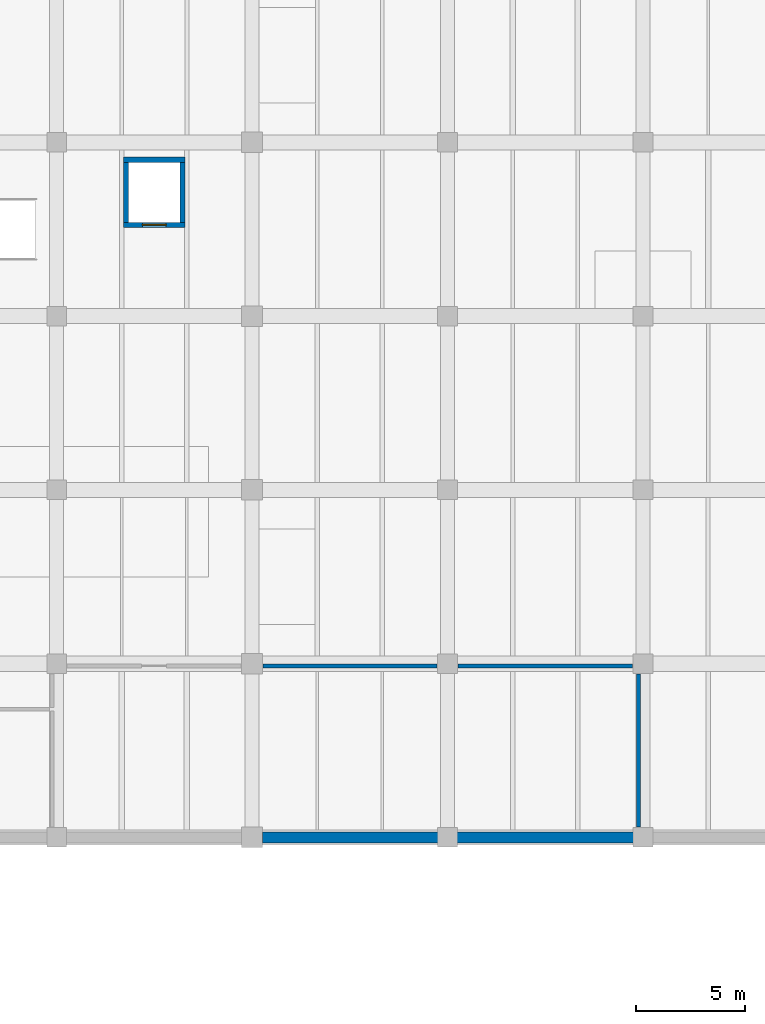
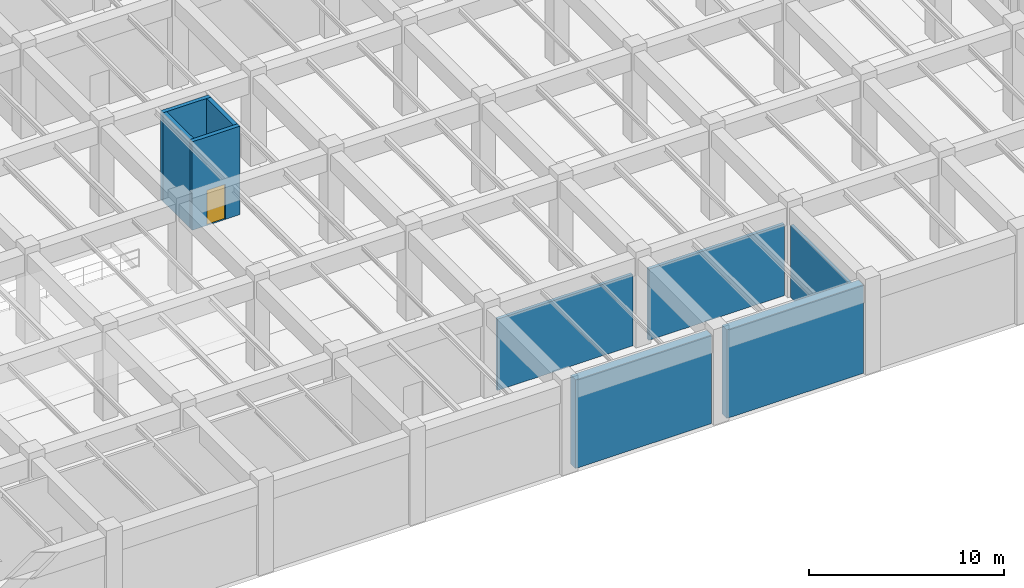
# One storey, part 9 of 20: 9 walls, 1 door, 1 opening.
"""IFC4 building model written with IfcOpenShell, lengths in metres."""

from ifc_helpers import new_model, si_unit, derived_unit, direction, frame, frame_2d, origin, place, context, subcontext, project, spatial, rectangle, extrude, material, layer, layer_set, type_object, element, fill, save


model = new_model("IFC4")

# Units and contexts
model_context = context("Model", 3, precision=1e-05, world=origin(), true_north=direction((0.0, 1.0)))
body_context = subcontext(model_context, "Body", "Model", "MODEL_VIEW")
ifc_project = project(units=[si_unit("LENGTHUNIT", "METRE"), si_unit("AREAUNIT", "SQUARE_METRE"), si_unit("VOLUMEUNIT", "CUBIC_METRE"), si_unit("PLANEANGLEUNIT", "RADIAN"), si_unit("MASSUNIT", "GRAM", prefix="KILO"), derived_unit("THERMALTRANSMITTANCEUNIT", [(si_unit("MASSUNIT", "GRAM", prefix="KILO"), 1), (si_unit("TIMEUNIT", "SECOND"), -3), (si_unit("THERMODYNAMICTEMPERATUREUNIT", "KELVIN"), -1)])], contexts=[model_context])

# Site, building, storey
site_placement = place(None, origin())
site = spatial("IfcSite", under=ifc_project, at=site_placement, CompositionType="ELEMENT")
building_placement = place(site_placement, origin())
building = spatial("IfcBuilding", under=site, at=building_placement, Name="Zhenchuan Archway Interchange", CompositionType="ELEMENT")
storey_placement = place(building_placement, frame((0.0, 0.0, -6.0)))
storey = spatial("IfcBuildingStorey", under=building, at=storey_placement, Name="B1", CompositionType="ELEMENT", Elevation=-6.0)

# Walls
ifc_material_1 = material(Name="Concrete C40", Category="concrete")
ifc_layer_1 = layer(ifc_material_1, 0.5)
ifc_layer_set_1 = layer_set([ifc_layer_1], Name="Concrete C40")
wall_type_1 = type_object("IfcWallType", Name="EW_DIAPH_500", PredefinedType="STANDARD", material=ifc_layer_set_1)
wall_1_placement = place(storey_placement, frame((125.552001953125, 32.0, 0.0), z_axis=(0.0, 0.0, 1.0), x_axis=(-1.0, 0.0, 0.0)))
element("IfcWall", 1, at=wall_1_placement, inside=storey, type_object=wall_type_1, Name="Basement diaphragm wall B1-043", PredefinedType="STANDARD", context=body_context, shape_type="SweptSolid", body=[
    extrude(rectangle(XDim=8.10400390625, YDim=0.5, at=frame_2d((4.052001953125, 0.0))), origin(), (0.0, 0.0, 1.0), 5.56005859375),
])
wall_2_placement = place(storey_placement, frame((116.552001953125, 32.0, 0.0), z_axis=(0.0, 0.0, 1.0), x_axis=(-1.0, 0.0, 0.0)))
element("IfcWall", 2, at=wall_2_placement, inside=storey, type_object=wall_type_1, Name="Basement diaphragm wall B1-044", PredefinedType="STANDARD", context=body_context, shape_type="SweptSolid", body=[
    extrude(rectangle(XDim=8.0791015625, YDim=0.5, at=frame_2d((4.03955078125, 0.0))), origin(), (0.0, 0.0, 1.0), 5.56005859375),
])

# Wall, opening, door
ifc_layer_2 = layer(ifc_material_1, 0.239990234375)
ifc_layer_set_2 = layer_set([ifc_layer_2], Name="Concrete C40")
wall_type_2 = type_object("IfcWallType", Name="WL_LIFT_240", PredefinedType="SHEAR", material=ifc_layer_set_2)
wall_3_placement = place(storey_placement, frame((102.080078125, 60.199951171875, 0.0), z_axis=(0.0, 0.0, 1.0), x_axis=(1.0, 0.0, 0.0)))
wall_3 = element("IfcWall", 3, at=wall_3_placement, inside=storey, type_object=wall_type_2, Name="Lift LF-05 south shaft wall (B1)", PredefinedType="SHEAR", context=body_context, shape_type="SweptSolid", body=[
    extrude(rectangle(XDim=2.83984375, YDim=0.239990234375, at=frame_2d((1.419921875, 0.0))), origin(), (0.0, 0.0, 1.0), 5.550048828125),
])
opening_placement = place(wall_3_placement, frame((0.8701171875, 0.0, 0.0)))
opening = element("IfcOpeningElement", 4, at=opening_placement, cuts=wall_3, Name="Opening LD-01", PredefinedType="OPENING", context=body_context, shape_type="SweptSolid", body=[
    extrude(rectangle(XDim=1.10009765625, YDim=2.199951171875, at=frame_2d((0.550048828125, 1.10009765625))), frame((0.0, 0.1318359375, 0.0), z_axis=(0.0, -1.0, 0.0), x_axis=(1.0, 0.0, 0.0)), (0.0, 0.0, 1.0), 0.263916015625),
])
ifc_material_2 = material(Name="Stainless Steel 304", Category="steel")
door_type = type_object("IfcDoorType", Name="DR_LIFT_LD110", OperationType="DOUBLE_DOOR_SLIDING", PredefinedType="DOOR", material=ifc_material_2)
door_placement = place(opening_placement, origin())
door = element("IfcDoor", 5, at=door_placement, inside=storey, type_object=door_type, Name="Lift LF-05 landing door (B1)", OperationType="DOUBLE_DOOR_SLIDING", OverallHeight=2.199951171875, OverallWidth=1.10009765625, PredefinedType="DOOR", context=body_context, shape_type="SweptSolid", body=[
    extrude(rectangle(XDim=1.10009765625, YDim=2.199951171875, at=frame_2d((0.550048828125, 1.10009765625))), frame((0.0, 0.02490234375, 0.0), z_axis=(0.0, -1.0, 0.0), x_axis=(1.0, 0.0, 0.0)), (0.0, 0.0, 1.0), 0.050048828125),
])
fill(opening, door)

# Walls
wall_4_placement = place(storey_placement, frame((104.919921875, 63.199951171875, 0.0), z_axis=(0.0, 0.0, 1.0), x_axis=(-1.0, 0.0, 0.0)))
element("IfcWall", 6, at=wall_4_placement, inside=storey, type_object=wall_type_2, Name="Lift LF-05 north shaft wall (B1)", PredefinedType="SHEAR", context=body_context, shape_type="SweptSolid", body=[
    extrude(rectangle(XDim=2.83984375, YDim=0.239990234375, at=frame_2d((1.419921875, 0.0))), origin(), (0.0, 0.0, 1.0), 5.550048828125),
])
for number, where, z_axis, x_axis, name in (
    (7, (102.199951171875, 63.080078125, 0.0), (0.0, 0.0, 1.0), (0.0, -1.0, 0.0), "Lift LF-05 west shaft wall (B1)"),
    (8, (104.800048828125, 60.320068359375, 0.0), (0.0, 0.0, 1.0), (0.0, 1.0, 0.0), "Lift LF-05 east shaft wall (B1)"),
):
    element("IfcWall", number, at=place(storey_placement, frame(where, z_axis=z_axis, x_axis=x_axis)), inside=storey, type_object=wall_type_2, Name=name, PredefinedType="SHEAR", context=body_context, shape_type="SweptSolid", body=[
        extrude(rectangle(XDim=2.760009765625, YDim=0.239990234375, at=frame_2d((1.3798828125, 0.0))), origin(), (0.0, 0.0, 1.0), 5.550048828125),
    ])
ifc_material_3 = material(Name="Concrete Block Masonry", Category="masonry")
ifc_layer_3 = layer(ifc_material_3, 0.179931640625)
ifc_layer_set_3 = layer_set([ifc_layer_3], Name="Concrete Block Masonry")
wall_type_3 = type_object("IfcWallType", Name="WL_PART_180", PredefinedType="STANDARD", material=ifc_layer_set_3)
wall_5_placement = place(storey_placement, frame((108.5, 39.89990234375, 0.0), z_axis=(0.0, 0.0, 1.0), x_axis=(1.0, 0.0, 0.0)))
element("IfcWall", 9, at=wall_5_placement, inside=storey, type_object=wall_type_3, Name="Automatic Fare Collection Equipment Room N partition (B1)", PredefinedType="STANDARD", context=body_context, shape_type="SweptSolid", body=[
    extrude(rectangle(XDim=8.02490234375, YDim=0.179931640625, at=frame_2d((4.012451171875, 0.0))), origin(), (0.0, 0.0, 1.0), 4.47998046875),
])
wall_6_placement = place(storey_placement, frame((117.47509765625, 39.89990234375, 0.0), z_axis=(0.0, 0.0, 1.0), x_axis=(1.0, 0.0, 0.0)))
element("IfcWall", 10, at=wall_6_placement, inside=storey, type_object=wall_type_3, Name="Automatic Fare Collection Equipment Room N partition (B1)", PredefinedType="STANDARD", context=body_context, shape_type="SweptSolid", body=[
    extrude(rectangle(XDim=8.0498046875, YDim=0.179931640625, at=frame_2d((4.02490234375, 0.0))), origin(), (0.0, 0.0, 1.0), 4.47998046875),
])
wall_7_placement = place(storey_placement, frame((125.800048828125, 32.47509765625, 0.0), z_axis=(0.0, 0.0, 1.0), x_axis=(0.0, 1.0, 0.0)))
element("IfcWall", 11, at=wall_7_placement, inside=storey, type_object=wall_type_3, Name="Automatic Fare Collection Equipment Room E partition (B1)", PredefinedType="STANDARD", context=body_context, shape_type="SweptSolid", body=[
    extrude(rectangle(XDim=7.0498046875, YDim=0.179931640625, at=frame_2d((3.52490234375, 0.0))), origin(), (0.0, 0.0, 1.0), 4.530029296875),
])

save(model, "model.ifc")
